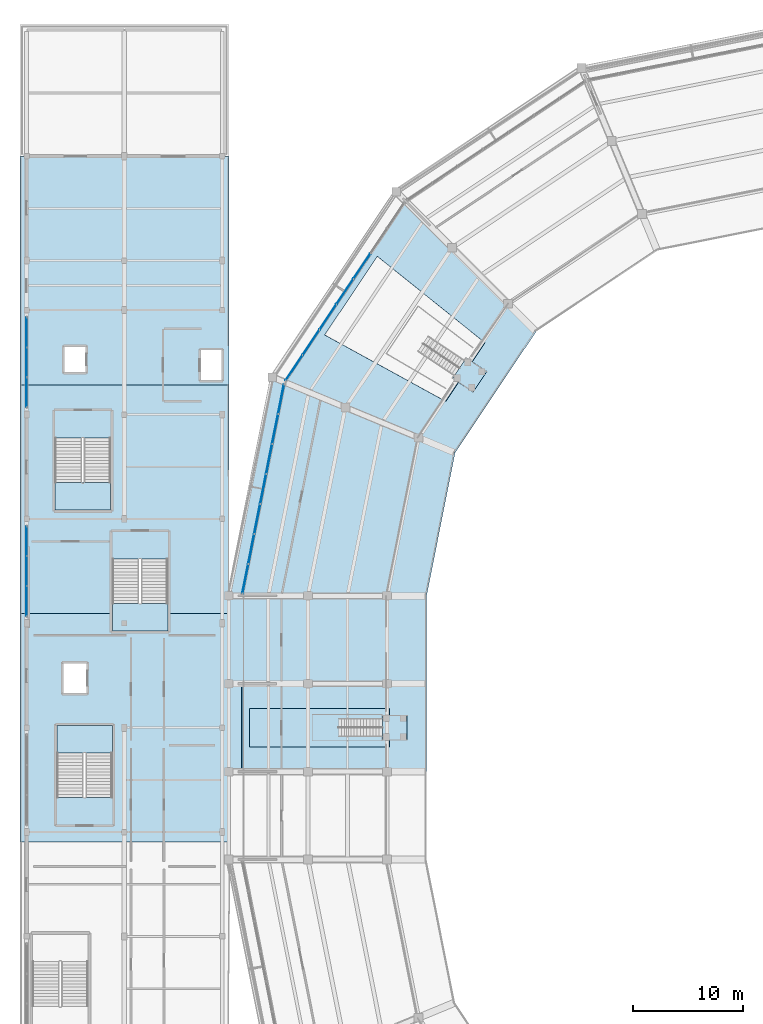
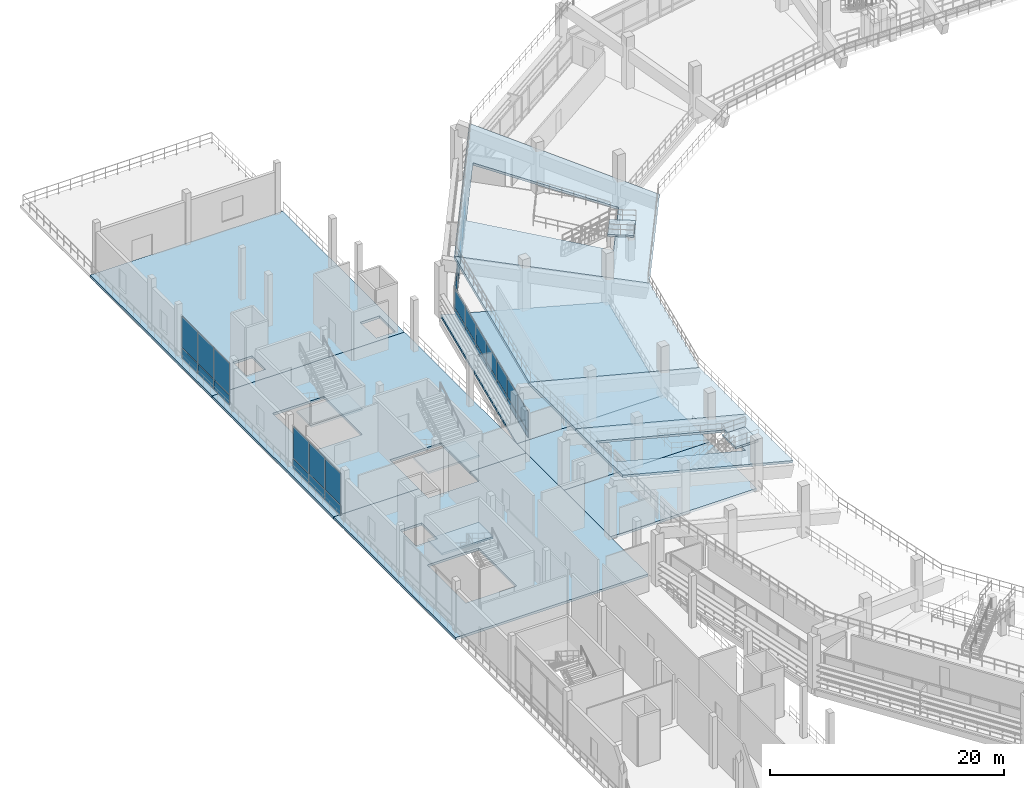
# One storey, part 51 of 96: 36 plates, 15 slabs, 9 elements without a shape of their own.
"""IFC4 building model written with IfcOpenShell, lengths in metres."""

from ifc_helpers import new_model, si_unit, direction, frame, origin, origin_2d, place, context, subcontext, project, spatial, polyline, rectangle, outline, extrude, material, layer, layer_set, type_object, element, aggregate, save


model = new_model("IFC4")

# Units and contexts
model_context = context("Model", 3, precision=1e-05, world=origin(), true_north=direction((0.0, 1.0)))
body_context = subcontext(model_context, "Body", "Model", "MODEL_VIEW")
ifc_project = project(units=[si_unit("LENGTHUNIT", "METRE"), si_unit("AREAUNIT", "SQUARE_METRE"), si_unit("VOLUMEUNIT", "CUBIC_METRE"), si_unit("PLANEANGLEUNIT", "RADIAN"), si_unit("MASSUNIT", "GRAM", prefix="KILO")], contexts=[model_context])

# Site, building, storey
site_placement = place(None, origin())
site = spatial("IfcSite", under=ifc_project, at=site_placement, CompositionType="ELEMENT")
building_placement = place(site_placement, origin())
building = spatial("IfcBuilding", under=site, at=building_placement, Name="Candeia Ridge Stadium", CompositionType="ELEMENT")
storey_placement = place(building_placement, frame((0.0, 0.0, 21.60009765625)))
storey = spatial("IfcBuildingStorey", under=building, at=storey_placement, Name="L04", CompositionType="ELEMENT", Elevation=21.60009765625)

# Slabs
ifc_material_1 = material(Name="Concrete C40/50", Category="concrete")
ifc_layer_1 = layer(ifc_material_1, 0.260009765625, Name="Concrete C40/50", Category="concrete")
ifc_layer_set_1 = layer_set([ifc_layer_1], Name="Concrete C40/50")
slab_type_1 = type_object("IfcSlabType", Name="Concourse Structural Slab 260", PredefinedType="FLOOR", material=ifc_layer_set_1)
slab_1_placement = place(storey_placement, frame((0.0, 0.0, -0.260009765625)))
element("IfcSlab", 1, at=slab_1_placement, inside=storey, type_object=slab_type_1, Name="Bowl concourse sector slab L04 bay 11 SLB-L04-0155", PredefinedType="FLOOR", context=body_context, shape_type="SweptSolid", body=[
    extrude(outline(polyline([(33.39990234375, 95.0), (19.0, 95.0), (22.958251953125, 114.8994140625), (36.26220703125, 109.388916015625), (33.39990234375, 95.0)])), origin(), (0.0, 0.0, 1.0), 0.260009765625),
])
slab_2_placement = place(storey_placement, frame((0.0, 0.0, -0.260009765625)))
element("IfcSlab", 2, at=slab_2_placement, inside=storey, type_object=slab_type_1, Name="Bowl concourse sector slab L04 bay 12 SLB-L04-0156", PredefinedType="FLOOR", context=body_context, shape_type="SweptSolid", body=[
    extrude(outline(polyline([(33.39990234375, 87.0), (19.0, 87.0), (19.0, 95.0), (33.39990234375, 95.0), (33.39990234375, 87.0)])), origin(), (0.0, 0.0, 1.0), 0.260009765625),
])
slab_3_placement = place(storey_placement, frame((0.0, 0.0, -0.260009765625)))
element("IfcSlab", 3, at=slab_3_placement, inside=storey, type_object=slab_type_1, Name="Bowl concourse sector slab L04 bay 13 SLB-L04-0157", PredefinedType="FLOOR", context=body_context, shape_type="SweptSolid", body=[
    extrude(outline(polyline([(33.39990234375, 79.0), (19.0, 79.0), (19.0, 87.0), (33.39990234375, 87.0), (33.39990234375, 79.0)])), origin(), (0.0, 0.0, 1.0), 0.260009765625),
])

# Stair, slab
stair_type_1 = type_object("IfcStairType", Name="Enclosed Core Half-Turn Stair 2450", PredefinedType="HALF_TURN_STAIR", material=ifc_material_1)
stair_1_placement = place(storey_placement, origin())
stair_1 = element("IfcStair", 4, at=stair_1_placement, inside=storey, type_object=stair_type_1, Name="L04 Enclosed exit stair ST06", PredefinedType="HALF_TURN_STAIR")
ifc_layer_2 = layer(ifc_material_1, 0.199951171875, Name="Concrete C40/50", Category="concrete")
ifc_layer_set_2 = layer_set([ifc_layer_2], Name="Concrete C40/50")
slab_type_2 = type_object("IfcSlabType", Name="Core Stair Landing Slab 200", PredefinedType="LANDING", material=ifc_layer_set_2)
slab_4_placement = place(storey_placement, frame((0.0, 0.0, 2.5)))
slab_4 = element("IfcSlab", 5, at=slab_4_placement, type_object=slab_type_2, Name="ST06 landing 1", PredefinedType="LANDING", context=body_context, shape_type="SweptSolid", body=[
    extrude(outline(polyline([(3.199951171875, 105.2900390625), (3.199951171875, 102.800048828125), (8.25, 102.800048828125), (8.25, 105.2900390625), (3.199951171875, 105.2900390625)])), origin(), (0.0, 0.0, 1.0), 0.199951171875),
])
aggregate(stair_1, [slab_4])

stair_2_placement = place(storey_placement, origin())
stair_2 = element("IfcStair", 6, at=stair_2_placement, inside=storey, type_object=stair_type_1, Name="L04 Enclosed exit stair ST07", PredefinedType="HALF_TURN_STAIR")
slab_5_placement = place(storey_placement, frame((0.0, 0.0, 2.5)))
slab_5 = element("IfcSlab", 7, at=slab_5_placement, type_object=slab_type_2, Name="ST07 landing 1", PredefinedType="LANDING", context=body_context, shape_type="SweptSolid", body=[
    extrude(outline(polyline([(8.39990234375, 80.7099609375), (8.39990234375, 83.199951171875), (3.35009765625, 83.199951171875), (3.35009765625, 80.7099609375), (8.39990234375, 80.7099609375)])), origin(), (0.0, 0.0, 1.0), 0.199951171875),
])
aggregate(stair_2, [slab_5])

stair_3_placement = place(storey_placement, origin())
stair_3 = element("IfcStair", 8, at=stair_3_placement, inside=storey, type_object=stair_type_1, Name="L04 Enclosed exit stair ST08", PredefinedType="HALF_TURN_STAIR")
slab_6_placement = place(storey_placement, frame((0.0, 0.0, 2.5)))
slab_6 = element("IfcSlab", 9, at=slab_6_placement, type_object=slab_type_2, Name="ST08 landing 1", PredefinedType="LANDING", context=body_context, shape_type="SweptSolid", body=[
    extrude(outline(polyline([(8.39990234375, 94.2900390625), (8.39990234375, 91.800048828125), (13.449951171875, 91.800048828125), (13.449951171875, 94.2900390625), (8.39990234375, 94.2900390625)])), origin(), (0.0, 0.0, 1.0), 0.199951171875),
])
aggregate(stair_3, [slab_6])

ifc_material_2 = material(Name="Precast concrete C45/55", Category="concrete")
stair_type_2 = type_object("IfcStairType", Name="Spectator Vomitory Straight Stair 2200", PredefinedType="STRAIGHT_RUN_STAIR", material=ifc_material_2)
stair_4_placement = place(storey_placement, origin())
stair_4 = element("IfcStair", 10, at=stair_4_placement, inside=storey, type_object=stair_type_2, Name="Vomitory stair VS28", PredefinedType="STRAIGHT_RUN_STAIR")
slab_7_placement = place(storey_placement, frame((0.0, 0.0, 2.493896484375)))
slab_7 = element("IfcSlab", 11, at=slab_7_placement, type_object=slab_type_2, Name="VS28 landing 1", PredefinedType="LANDING", context=body_context, shape_type="SweptSolid", body=[
    extrude(outline(polyline([(40.60693359375, 116.655029296875), (42.478271484375, 115.404541015625), (41.233642578125, 113.542236328125), (39.362548828125, 114.79248046875), (40.60693359375, 116.655029296875)])), origin(), (0.0, 0.0, 1.0), 0.199951171875),
])
aggregate(stair_4, [slab_7])

stair_5_placement = place(storey_placement, origin())
stair_5 = element("IfcStair", 12, at=stair_5_placement, inside=storey, type_object=stair_type_2, Name="Vomitory stair VS29", PredefinedType="STRAIGHT_RUN_STAIR")
slab_8_placement = place(storey_placement, frame((0.0, 0.0, 2.493896484375)))
slab_8 = element("IfcSlab", 13, at=slab_8_placement, type_object=slab_type_2, Name="VS29 landing 1", PredefinedType="LANDING", context=body_context, shape_type="SweptSolid", body=[
    extrude(outline(polyline([(32.967529296875, 84.1201171875), (35.218017578125, 84.1201171875), (35.218017578125, 81.8798828125), (32.967529296875, 81.8798828125), (32.967529296875, 84.1201171875)])), origin(), (0.0, 0.0, 1.0), 0.199951171875),
])
aggregate(stair_5, [slab_8])

# Slabs
ifc_layer_3 = layer(ifc_material_1, 0.25, Name="Concrete C40/50", Category="concrete")
ifc_layer_set_3 = layer_set([ifc_layer_3], Name="Concrete C40/50")
slab_type_3 = type_object("IfcSlabType", Name="Hospitality & Museum Slab 250", PredefinedType="FLOOR", material=ifc_layer_set_3)
slab_9_placement = place(storey_placement, frame((0.0, 0.0, -0.25)))
element("IfcSlab", 14, at=slab_9_placement, inside=storey, type_object=slab_type_3, Name="Wing floor slab west SLB-L04-0300", PredefinedType="FLOOR", context=body_context, shape_type="SweptSolid", body=[
    extrude(outline(polyline([(19.0, 93.39990234375), (19.0, 72.60009765625), (0.0, 72.60009765625), (0.0, 93.39990234375), (8.39990234375, 93.39990234375), (8.39990234375, 91.800048828125), (13.449951171875, 91.800048828125), (13.449951171875, 93.39990234375), (19.0, 93.39990234375)]), holes=[polyline([(8.39990234375, 83.199951171875), (3.35009765625, 83.199951171875), (3.35009765625, 76.650634765625), (8.39990234375, 76.650634765625), (8.39990234375, 83.199951171875)]), polyline([(6.050048828125, 86.14990234375), (6.050048828125, 88.85009765625), (3.949951171875, 88.85009765625), (3.949951171875, 86.14990234375), (6.050048828125, 86.14990234375)])]), origin(), (0.0, 0.0, 1.0), 0.25),
])
slab_10_placement = place(storey_placement, frame((0.0, 0.0, -0.25)))
element("IfcSlab", 15, at=slab_10_placement, inside=storey, type_object=slab_type_3, Name="Wing floor slab west SLB-L04-0301", PredefinedType="FLOOR", context=body_context, shape_type="SweptSolid", body=[
    extrude(outline(polyline([(0.0, 93.39990234375), (0.0, 114.199951171875), (19.0, 114.199951171875), (19.0, 93.39990234375), (13.449951171875, 93.39990234375), (13.449951171875, 98.349365234375), (8.39990234375, 98.349365234375), (8.39990234375, 93.39990234375), (0.0, 93.39990234375)]), holes=[polyline([(3.199951171875, 109.349365234375), (3.199951171875, 102.800048828125), (8.25, 102.800048828125), (8.25, 109.349365234375), (3.199951171875, 109.349365234375)])]), origin(), (0.0, 0.0, 1.0), 0.25),
])
slab_11_placement = place(storey_placement, frame((0.0, 0.0, -0.25)))
element("IfcSlab", 16, at=slab_11_placement, inside=storey, type_object=slab_type_3, Name="Wing floor slab west SLB-L04-0302", PredefinedType="FLOOR", context=body_context, shape_type="SweptSolid", body=[
    extrude(outline(polyline([(0.0, 114.199951171875), (0.0, 135.0), (19.0, 135.0), (19.0, 114.199951171875), (0.0, 114.199951171875)]), holes=[polyline([(18.35009765625, 114.64990234375), (18.35009765625, 117.35009765625), (16.449951171875, 117.35009765625), (16.449951171875, 114.64990234375), (18.35009765625, 114.64990234375)]), polyline([(5.949951171875, 115.35009765625), (5.949951171875, 117.64990234375), (4.050048828125, 117.64990234375), (4.050048828125, 115.35009765625), (5.949951171875, 115.35009765625)])]), origin(), (0.0, 0.0, 1.0), 0.25),
])

# Curtain wall, plates
ifc_material_3 = material(Name="Aluminium Anodized Warm Bronze", Category="aluminium")
curtain_wall_type_1 = type_object("IfcCurtainWallType", Name="Concourse Recessed Unitised Curtain Wall", PredefinedType="NOTDEFINED", material=ifc_material_3)
curtain_wall_1_placement = place(storey_placement, origin())
curtain_wall_1 = element("IfcCurtainWall", 17, at=curtain_wall_1_placement, inside=storey, type_object=curtain_wall_type_1, Name="Unitised curtain wall CW-BWL-L04-09", PredefinedType="NOTDEFINED")
ifc_material_4 = material(Name="Aluminium Insulated Spandrel", Category="aluminium")
ifc_layer_4 = layer(ifc_material_4, 0.06494140625, Name="Aluminium Insulated Spandrel", Category="aluminium")
ifc_layer_set_4 = layer_set([ifc_layer_4], Name="Aluminium Insulated Spandrel")
plate_type_1 = type_object("IfcPlateType", Name="Insulated Bronze Spandrel Panel SP2", PredefinedType="CURTAIN_PANEL", material=ifc_layer_set_4)
plate_1_placement = place(storey_placement, frame((31.117431640625, 124.9921875, 0.0400390625), z_axis=(0.0, 0.0, 1.0), x_axis=(-0.555571447533, -0.831468800789, 0.0)))
plate_1 = element("IfcPlate", 18, at=plate_1_placement, type_object=plate_type_1, Name="Curtain wall spandrel panel CW-BWL-L04-09-SP2", PredefinedType="CURTAIN_PANEL", context=body_context, shape_type="SweptSolid", body=[
    extrude(rectangle(XDim=2.710205078125, YDim=0.06494140625, at=origin_2d()), origin(), (0.0, 0.0, 1.0), 0.613037109375),
])
plate_2_placement = place(storey_placement, frame((29.572998046875, 122.6806640625, 0.0400390625), z_axis=(0.0, 0.0, 1.0), x_axis=(-0.555571447533, -0.831468800789, 0.0)))
plate_2 = element("IfcPlate", 19, at=plate_2_placement, type_object=plate_type_1, Name="Curtain wall spandrel panel CW-BWL-L04-09-SP3", PredefinedType="CURTAIN_PANEL", context=body_context, shape_type="SweptSolid", body=[
    extrude(rectangle(XDim=2.710205078125, YDim=0.06494140625, at=origin_2d()), origin(), (0.0, 0.0, 1.0), 0.613037109375),
])
plate_3_placement = place(storey_placement, frame((28.0283203125, 120.369140625, 0.0400390625), z_axis=(0.0, 0.0, 1.0), x_axis=(-0.555571447533, -0.831468800789, 0.0)))
plate_3 = element("IfcPlate", 20, at=plate_3_placement, type_object=plate_type_1, Name="Curtain wall spandrel panel CW-BWL-L04-09-SP4", PredefinedType="CURTAIN_PANEL", context=body_context, shape_type="SweptSolid", body=[
    extrude(rectangle(XDim=2.710205078125, YDim=0.06494140625, at=origin_2d()), origin(), (0.0, 0.0, 1.0), 0.613037109375),
])
plate_4_placement = place(storey_placement, frame((26.48388671875, 118.057373046875, 0.0400390625), z_axis=(0.0, 0.0, 1.0), x_axis=(-0.555571447533, -0.831468800789, 0.0)))
plate_4 = element("IfcPlate", 21, at=plate_4_placement, type_object=plate_type_1, Name="Curtain wall spandrel panel CW-BWL-L04-09-SP5", PredefinedType="CURTAIN_PANEL", context=body_context, shape_type="SweptSolid", body=[
    extrude(rectangle(XDim=2.710205078125, YDim=0.06494140625, at=origin_2d()), origin(), (0.0, 0.0, 1.0), 0.613037109375),
])
plate_5_placement = place(storey_placement, frame((24.939208984375, 115.745849609375, 0.0400390625), z_axis=(0.0, 0.0, 1.0), x_axis=(-0.555571447533, -0.831468800789, 0.0)))
plate_5 = element("IfcPlate", 22, at=plate_5_placement, type_object=plate_type_1, Name="Curtain wall spandrel panel CW-BWL-L04-09-SP6", PredefinedType="CURTAIN_PANEL", context=body_context, shape_type="SweptSolid", body=[
    extrude(rectangle(XDim=2.710205078125, YDim=0.06494140625, at=origin_2d()), origin(), (0.0, 0.0, 1.0), 0.613037109375),
])

curtain_wall_2_placement = place(storey_placement, origin())
curtain_wall_2 = element("IfcCurtainWall", 23, at=curtain_wall_2_placement, inside=storey, type_object=curtain_wall_type_1, Name="Unitised curtain wall CW-BWL-L04-10", PredefinedType="NOTDEFINED")
ifc_layer_5 = layer(ifc_material_4, 0.06494140625, Name="Aluminium Insulated Spandrel", Category="aluminium")
ifc_layer_set_5 = layer_set([ifc_layer_5], Name="Aluminium Insulated Spandrel")
plate_type_2 = type_object("IfcPlateType", Name="Insulated Bronze Spandrel Panel SP4", PredefinedType="CURTAIN_PANEL", material=ifc_layer_set_5)
plate_6_placement = place(storey_placement, frame((23.760498046875, 112.900390625, 0.0400390625), z_axis=(0.0, 0.0, 1.0), x_axis=(-0.195090320544, -0.980785280696, 0.0)))
plate_6 = element("IfcPlate", 24, at=plate_6_placement, type_object=plate_type_2, Name="Curtain wall spandrel panel CW-BWL-L04-10-SP0", PredefinedType="CURTAIN_PANEL", context=body_context, shape_type="SweptSolid", body=[
    extrude(rectangle(XDim=2.710205078125, YDim=0.06494140625, at=origin_2d()), origin(), (0.0, 0.0, 1.0), 0.613037109375),
])
plate_7_placement = place(storey_placement, frame((23.21826171875, 110.173583984375, 0.0400390625), z_axis=(0.0, 0.0, 1.0), x_axis=(-0.195090320544, -0.980785280696, 0.0)))
plate_7 = element("IfcPlate", 25, at=plate_7_placement, type_object=plate_type_2, Name="Curtain wall spandrel panel CW-BWL-L04-10-SP1", PredefinedType="CURTAIN_PANEL", context=body_context, shape_type="SweptSolid", body=[
    extrude(rectangle(XDim=2.710205078125, YDim=0.06494140625, at=origin_2d()), origin(), (0.0, 0.0, 1.0), 0.613037109375),
])
plate_8_placement = place(storey_placement, frame((22.67578125, 107.447021484375, 0.0400390625), z_axis=(0.0, 0.0, 1.0), x_axis=(-0.195090320544, -0.980785280696, 0.0)))
plate_8 = element("IfcPlate", 26, at=plate_8_placement, type_object=plate_type_2, Name="Curtain wall spandrel panel CW-BWL-L04-10-SP2", PredefinedType="CURTAIN_PANEL", context=body_context, shape_type="SweptSolid", body=[
    extrude(rectangle(XDim=2.710205078125, YDim=0.06494140625, at=origin_2d()), origin(), (0.0, 0.0, 1.0), 0.613037109375),
])
plate_9_placement = place(storey_placement, frame((22.13330078125, 104.72021484375, 0.0400390625), z_axis=(0.0, 0.0, 1.0), x_axis=(-0.195090320544, -0.980785280696, 0.0)))
plate_9 = element("IfcPlate", 27, at=plate_9_placement, type_object=plate_type_2, Name="Curtain wall spandrel panel CW-BWL-L04-10-SP3", PredefinedType="CURTAIN_PANEL", context=body_context, shape_type="SweptSolid", body=[
    extrude(rectangle(XDim=2.710205078125, YDim=0.06494140625, at=origin_2d()), origin(), (0.0, 0.0, 1.0), 0.613037109375),
])
plate_10_placement = place(storey_placement, frame((21.591064453125, 101.993408203125, 0.0400390625), z_axis=(0.0, 0.0, 1.0), x_axis=(-0.195090320544, -0.980785280696, 0.0)))
plate_10 = element("IfcPlate", 28, at=plate_10_placement, type_object=plate_type_2, Name="Curtain wall spandrel panel CW-BWL-L04-10-SP4", PredefinedType="CURTAIN_PANEL", context=body_context, shape_type="SweptSolid", body=[
    extrude(rectangle(XDim=2.710205078125, YDim=0.06494140625, at=origin_2d()), origin(), (0.0, 0.0, 1.0), 0.613037109375),
])
plate_11_placement = place(storey_placement, frame((21.048583984375, 99.2666015625, 0.0400390625), z_axis=(0.0, 0.0, 1.0), x_axis=(-0.195090320544, -0.980785280696, 0.0)))
plate_11 = element("IfcPlate", 29, at=plate_11_placement, type_object=plate_type_2, Name="Curtain wall spandrel panel CW-BWL-L04-10-SP5", PredefinedType="CURTAIN_PANEL", context=body_context, shape_type="SweptSolid", body=[
    extrude(rectangle(XDim=2.710205078125, YDim=0.06494140625, at=origin_2d()), origin(), (0.0, 0.0, 1.0), 0.613037109375),
])
plate_12_placement = place(storey_placement, frame((20.50634765625, 96.539794921875, 0.0400390625), z_axis=(0.0, 0.0, 1.0), x_axis=(-0.195090320544, -0.980785280696, 0.0)))
plate_12 = element("IfcPlate", 30, at=plate_12_placement, type_object=plate_type_2, Name="Curtain wall spandrel panel CW-BWL-L04-10-SP6", PredefinedType="CURTAIN_PANEL", context=body_context, shape_type="SweptSolid", body=[
    extrude(rectangle(XDim=2.710205078125, YDim=0.06494140625, at=origin_2d()), origin(), (0.0, 0.0, 1.0), 0.613037109375),
])

curtain_wall_type_2 = type_object("IfcCurtainWallType", Name="West Pavilion Hospitality Curtain Wall", PredefinedType="NOTDEFINED", material=ifc_material_3)
curtain_wall_3_placement = place(storey_placement, origin())
curtain_wall_3 = element("IfcCurtainWall", 31, at=curtain_wall_3_placement, inside=storey, type_object=curtain_wall_type_2, Name="Unitised curtain wall CW-WNG-L04-096", PredefinedType="NOTDEFINED")
ifc_layer_6 = layer(ifc_material_4, 0.06494140625, Name="Aluminium Insulated Spandrel", Category="aluminium")
ifc_layer_set_6 = layer_set([ifc_layer_6], Name="Aluminium Insulated Spandrel")
plate_type_3 = type_object("IfcPlateType", Name="Insulated Cedar-Tone Spandrel Panel SP3", PredefinedType="CURTAIN_PANEL", material=ifc_layer_set_6)
plate_13_placement = place(storey_placement, frame((0.60009765625, 94.523193359375, 0.039794921875), z_axis=(0.0, 0.0, 1.0), x_axis=(0.0, 1.0, 0.0)))
plate_13 = element("IfcPlate", 32, at=plate_13_placement, type_object=plate_type_3, Name="Curtain wall spandrel panel CW-WNG-L04-096-SP0", PredefinedType="CURTAIN_PANEL", context=body_context, shape_type="SweptSolid", body=[
    extrude(rectangle(XDim=2.65673828125, YDim=0.06494140625, at=origin_2d()), origin(), (0.0, 0.0, 1.0), 1.02001953125),
])
plate_14_placement = place(storey_placement, frame((0.60009765625, 97.25, 0.039794921875), z_axis=(0.0, 0.0, 1.0), x_axis=(0.0, 1.0, 0.0)))
plate_14 = element("IfcPlate", 33, at=plate_14_placement, type_object=plate_type_3, Name="Curtain wall spandrel panel CW-WNG-L04-096-SP1", PredefinedType="CURTAIN_PANEL", context=body_context, shape_type="SweptSolid", body=[
    extrude(rectangle(XDim=2.65673828125, YDim=0.06494140625, at=origin_2d()), origin(), (0.0, 0.0, 1.0), 1.02001953125),
])
plate_15_placement = place(storey_placement, frame((0.60009765625, 99.976806640625, 0.039794921875), z_axis=(0.0, 0.0, 1.0), x_axis=(0.0, 1.0, 0.0)))
plate_15 = element("IfcPlate", 34, at=plate_15_placement, type_object=plate_type_3, Name="Curtain wall spandrel panel CW-WNG-L04-096-SP2", PredefinedType="CURTAIN_PANEL", context=body_context, shape_type="SweptSolid", body=[
    extrude(rectangle(XDim=2.65673828125, YDim=0.06494140625, at=origin_2d()), origin(), (0.0, 0.0, 1.0), 1.02001953125),
])

curtain_wall_4_placement = place(storey_placement, origin())
curtain_wall_4 = element("IfcCurtainWall", 35, at=curtain_wall_4_placement, inside=storey, type_object=curtain_wall_type_2, Name="Unitised curtain wall CW-WNG-L04-097", PredefinedType="NOTDEFINED")
plate_16_placement = place(storey_placement, frame((0.60009765625, 113.523193359375, 0.039794921875), z_axis=(0.0, 0.0, 1.0), x_axis=(0.0, 1.0, 0.0)))
plate_16 = element("IfcPlate", 36, at=plate_16_placement, type_object=plate_type_3, Name="Curtain wall spandrel panel CW-WNG-L04-097-SP0", PredefinedType="CURTAIN_PANEL", context=body_context, shape_type="SweptSolid", body=[
    extrude(rectangle(XDim=2.65673828125, YDim=0.06494140625, at=origin_2d()), origin(), (0.0, 0.0, 1.0), 1.02001953125),
])
plate_17_placement = place(storey_placement, frame((0.60009765625, 116.25, 0.039794921875), z_axis=(0.0, 0.0, 1.0), x_axis=(0.0, 1.0, 0.0)))
plate_17 = element("IfcPlate", 37, at=plate_17_placement, type_object=plate_type_3, Name="Curtain wall spandrel panel CW-WNG-L04-097-SP1", PredefinedType="CURTAIN_PANEL", context=body_context, shape_type="SweptSolid", body=[
    extrude(rectangle(XDim=2.65673828125, YDim=0.06494140625, at=origin_2d()), origin(), (0.0, 0.0, 1.0), 1.02001953125),
])
plate_18_placement = place(storey_placement, frame((0.60009765625, 118.976806640625, 0.039794921875), z_axis=(0.0, 0.0, 1.0), x_axis=(0.0, 1.0, 0.0)))
plate_18 = element("IfcPlate", 38, at=plate_18_placement, type_object=plate_type_3, Name="Curtain wall spandrel panel CW-WNG-L04-097-SP2", PredefinedType="CURTAIN_PANEL", context=body_context, shape_type="SweptSolid", body=[
    extrude(rectangle(XDim=2.65673828125, YDim=0.06494140625, at=origin_2d()), origin(), (0.0, 0.0, 1.0), 1.02001953125),
])

# Plate
ifc_material_5 = material(Name="Tempered Low-E Double Glazing", Category="glass")
ifc_layer_7 = layer(ifc_material_5, 0.035888671875, Name="Tempered Low-E Double Glazing", Category="glass")
ifc_layer_set_7 = layer_set([ifc_layer_7], Name="Tempered Low-E Double Glazing")
plate_type_4 = type_object("IfcPlateType", Name="Pavilion Panorama Glass Panel GP4", PredefinedType="CURTAIN_PANEL", material=ifc_layer_set_7)
plate_19_placement = place(storey_placement, frame((0.60009765625, 94.523193359375, 1.14013671875), z_axis=(0.0, 0.0, 1.0), x_axis=(0.0, 1.0, 0.0)))
plate_19 = element("IfcPlate", 39, at=plate_19_placement, type_object=plate_type_4, Name="Curtain wall vision glass panel CW-WNG-L04-096-GP0", PredefinedType="CURTAIN_PANEL", context=body_context, shape_type="SweptSolid", body=[
    extrude(rectangle(XDim=2.65673828125, YDim=0.035888671875, at=origin_2d()), origin(), (0.0, 0.0, 1.0), 3.304931640625),
])

plate_20_placement = place(storey_placement, frame((0.60009765625, 97.25, 1.14013671875), z_axis=(0.0, 0.0, 1.0), x_axis=(0.0, 1.0, 0.0)))
plate_20 = element("IfcPlate", 40, at=plate_20_placement, type_object=plate_type_4, Name="Curtain wall vision glass panel CW-WNG-L04-096-GP1", PredefinedType="CURTAIN_PANEL", context=body_context, shape_type="SweptSolid", body=[
    extrude(rectangle(XDim=2.65673828125, YDim=0.035888671875, at=origin_2d()), origin(), (0.0, 0.0, 1.0), 3.304931640625),
])

plate_21_placement = place(storey_placement, frame((0.60009765625, 99.976806640625, 1.14013671875), z_axis=(0.0, 0.0, 1.0), x_axis=(0.0, 1.0, 0.0)))
plate_21 = element("IfcPlate", 41, at=plate_21_placement, type_object=plate_type_4, Name="Curtain wall vision glass panel CW-WNG-L04-096-GP2", PredefinedType="CURTAIN_PANEL", context=body_context, shape_type="SweptSolid", body=[
    extrude(rectangle(XDim=2.65673828125, YDim=0.035888671875, at=origin_2d()), origin(), (0.0, 0.0, 1.0), 3.304931640625),
])

aggregate(curtain_wall_3, [plate_13, plate_19, plate_14, plate_20, plate_15, plate_21])

plate_22_placement = place(storey_placement, frame((0.60009765625, 113.523193359375, 1.14013671875), z_axis=(0.0, 0.0, 1.0), x_axis=(0.0, 1.0, 0.0)))
plate_22 = element("IfcPlate", 42, at=plate_22_placement, type_object=plate_type_4, Name="Curtain wall vision glass panel CW-WNG-L04-097-GP0", PredefinedType="CURTAIN_PANEL", context=body_context, shape_type="SweptSolid", body=[
    extrude(rectangle(XDim=2.65673828125, YDim=0.035888671875, at=origin_2d()), origin(), (0.0, 0.0, 1.0), 3.284912109375),
])

plate_23_placement = place(storey_placement, frame((0.60009765625, 116.25, 1.14013671875), z_axis=(0.0, 0.0, 1.0), x_axis=(0.0, 1.0, 0.0)))
plate_23 = element("IfcPlate", 43, at=plate_23_placement, type_object=plate_type_4, Name="Curtain wall vision glass panel CW-WNG-L04-097-GP1", PredefinedType="CURTAIN_PANEL", context=body_context, shape_type="SweptSolid", body=[
    extrude(rectangle(XDim=2.65673828125, YDim=0.035888671875, at=origin_2d()), origin(), (0.0, 0.0, 1.0), 3.284912109375),
])

plate_24_placement = place(storey_placement, frame((0.60009765625, 118.976806640625, 1.14013671875), z_axis=(0.0, 0.0, 1.0), x_axis=(0.0, 1.0, 0.0)))
plate_24 = element("IfcPlate", 44, at=plate_24_placement, type_object=plate_type_4, Name="Curtain wall vision glass panel CW-WNG-L04-097-GP2", PredefinedType="CURTAIN_PANEL", context=body_context, shape_type="SweptSolid", body=[
    extrude(rectangle(XDim=2.65673828125, YDim=0.035888671875, at=origin_2d()), origin(), (0.0, 0.0, 1.0), 3.284912109375),
])

aggregate(curtain_wall_4, [plate_16, plate_22, plate_17, plate_23, plate_18, plate_24])

ifc_layer_8 = layer(ifc_material_5, 0.035888671875, Name="Tempered Low-E Double Glazing", Category="glass")
ifc_layer_set_8 = layer_set([ifc_layer_8], Name="Tempered Low-E Double Glazing")
plate_type_5 = type_object("IfcPlateType", Name="Solar Control Vision Glass Panel GP2", PredefinedType="CURTAIN_PANEL", material=ifc_layer_set_8)
plate_25_placement = place(storey_placement, frame((31.117431640625, 124.9921875, 0.733154296875), z_axis=(0.0, 0.0, 1.0), x_axis=(-0.555571447533, -0.831468800789, 0.0)))
plate_25 = element("IfcPlate", 45, at=plate_25_placement, type_object=plate_type_5, Name="Curtain wall vision glass panel CW-BWL-L04-09-GP2", PredefinedType="CURTAIN_PANEL", context=body_context, shape_type="SweptSolid", body=[
    extrude(rectangle(XDim=2.710205078125, YDim=0.035888671875, at=origin_2d()), origin(), (0.0, 0.0, 1.0), 1.9990234375),
])

plate_26_placement = place(storey_placement, frame((29.572998046875, 122.6806640625, 0.733154296875), z_axis=(0.0, 0.0, 1.0), x_axis=(-0.555571447533, -0.831468800789, 0.0)))
plate_26 = element("IfcPlate", 46, at=plate_26_placement, type_object=plate_type_5, Name="Curtain wall vision glass panel CW-BWL-L04-09-GP3", PredefinedType="CURTAIN_PANEL", context=body_context, shape_type="SweptSolid", body=[
    extrude(rectangle(XDim=2.710205078125, YDim=0.035888671875, at=origin_2d()), origin(), (0.0, 0.0, 1.0), 1.9990234375),
])

plate_27_placement = place(storey_placement, frame((28.0283203125, 120.369140625, 0.733154296875), z_axis=(0.0, 0.0, 1.0), x_axis=(-0.555571447533, -0.831468800789, 0.0)))
plate_27 = element("IfcPlate", 47, at=plate_27_placement, type_object=plate_type_5, Name="Curtain wall vision glass panel CW-BWL-L04-09-GP4", PredefinedType="CURTAIN_PANEL", context=body_context, shape_type="SweptSolid", body=[
    extrude(rectangle(XDim=2.710205078125, YDim=0.035888671875, at=origin_2d()), origin(), (0.0, 0.0, 1.0), 1.9990234375),
])

plate_28_placement = place(storey_placement, frame((26.48388671875, 118.057373046875, 0.733154296875), z_axis=(0.0, 0.0, 1.0), x_axis=(-0.555571447533, -0.831468800789, 0.0)))
plate_28 = element("IfcPlate", 48, at=plate_28_placement, type_object=plate_type_5, Name="Curtain wall vision glass panel CW-BWL-L04-09-GP5", PredefinedType="CURTAIN_PANEL", context=body_context, shape_type="SweptSolid", body=[
    extrude(rectangle(XDim=2.710205078125, YDim=0.035888671875, at=origin_2d()), origin(), (0.0, 0.0, 1.0), 1.9990234375),
])

plate_29_placement = place(storey_placement, frame((24.939208984375, 115.745849609375, 0.733154296875), z_axis=(0.0, 0.0, 1.0), x_axis=(-0.555571447533, -0.831468800789, 0.0)))
plate_29 = element("IfcPlate", 49, at=plate_29_placement, type_object=plate_type_5, Name="Curtain wall vision glass panel CW-BWL-L04-09-GP6", PredefinedType="CURTAIN_PANEL", context=body_context, shape_type="SweptSolid", body=[
    extrude(rectangle(XDim=2.710205078125, YDim=0.035888671875, at=origin_2d()), origin(), (0.0, 0.0, 1.0), 1.9990234375),
])

aggregate(curtain_wall_1, [plate_1, plate_25, plate_2, plate_26, plate_3, plate_27, plate_4, plate_28, plate_5, plate_29])

ifc_layer_9 = layer(ifc_material_5, 0.035888671875, Name="Tempered Low-E Double Glazing", Category="glass")
ifc_layer_set_9 = layer_set([ifc_layer_9], Name="Tempered Low-E Double Glazing")
plate_type_6 = type_object("IfcPlateType", Name="Solar Control Vision Glass Panel GP5", PredefinedType="CURTAIN_PANEL", material=ifc_layer_set_9)
plate_30_placement = place(storey_placement, frame((23.760498046875, 112.900390625, 0.733154296875), z_axis=(0.0, 0.0, 1.0), x_axis=(-0.195090320544, -0.980785280696, 0.0)))
plate_30 = element("IfcPlate", 50, at=plate_30_placement, type_object=plate_type_6, Name="Curtain wall vision glass panel CW-BWL-L04-10-GP0", PredefinedType="CURTAIN_PANEL", context=body_context, shape_type="SweptSolid", body=[
    extrude(rectangle(XDim=2.710205078125, YDim=0.035888671875, at=origin_2d()), origin(), (0.0, 0.0, 1.0), 1.9990234375),
])

plate_31_placement = place(storey_placement, frame((23.21826171875, 110.173583984375, 0.733154296875), z_axis=(0.0, 0.0, 1.0), x_axis=(-0.195090320544, -0.980785280696, 0.0)))
plate_31 = element("IfcPlate", 51, at=plate_31_placement, type_object=plate_type_6, Name="Curtain wall vision glass panel CW-BWL-L04-10-GP1", PredefinedType="CURTAIN_PANEL", context=body_context, shape_type="SweptSolid", body=[
    extrude(rectangle(XDim=2.710205078125, YDim=0.035888671875, at=origin_2d()), origin(), (0.0, 0.0, 1.0), 1.9990234375),
])

plate_32_placement = place(storey_placement, frame((22.67578125, 107.447021484375, 0.733154296875), z_axis=(0.0, 0.0, 1.0), x_axis=(-0.195090320544, -0.980785280696, 0.0)))
plate_32 = element("IfcPlate", 52, at=plate_32_placement, type_object=plate_type_6, Name="Curtain wall vision glass panel CW-BWL-L04-10-GP2", PredefinedType="CURTAIN_PANEL", context=body_context, shape_type="SweptSolid", body=[
    extrude(rectangle(XDim=2.710205078125, YDim=0.035888671875, at=origin_2d()), origin(), (0.0, 0.0, 1.0), 1.9990234375),
])

plate_33_placement = place(storey_placement, frame((22.13330078125, 104.72021484375, 0.733154296875), z_axis=(0.0, 0.0, 1.0), x_axis=(-0.195090320544, -0.980785280696, 0.0)))
plate_33 = element("IfcPlate", 53, at=plate_33_placement, type_object=plate_type_6, Name="Curtain wall vision glass panel CW-BWL-L04-10-GP3", PredefinedType="CURTAIN_PANEL", context=body_context, shape_type="SweptSolid", body=[
    extrude(rectangle(XDim=2.710205078125, YDim=0.035888671875, at=origin_2d()), origin(), (0.0, 0.0, 1.0), 1.9990234375),
])

plate_34_placement = place(storey_placement, frame((21.591064453125, 101.993408203125, 0.733154296875), z_axis=(0.0, 0.0, 1.0), x_axis=(-0.195090320544, -0.980785280696, 0.0)))
plate_34 = element("IfcPlate", 54, at=plate_34_placement, type_object=plate_type_6, Name="Curtain wall vision glass panel CW-BWL-L04-10-GP4", PredefinedType="CURTAIN_PANEL", context=body_context, shape_type="SweptSolid", body=[
    extrude(rectangle(XDim=2.710205078125, YDim=0.035888671875, at=origin_2d()), origin(), (0.0, 0.0, 1.0), 1.9990234375),
])

plate_35_placement = place(storey_placement, frame((21.048583984375, 99.2666015625, 0.733154296875), z_axis=(0.0, 0.0, 1.0), x_axis=(-0.195090320544, -0.980785280696, 0.0)))
plate_35 = element("IfcPlate", 55, at=plate_35_placement, type_object=plate_type_6, Name="Curtain wall vision glass panel CW-BWL-L04-10-GP5", PredefinedType="CURTAIN_PANEL", context=body_context, shape_type="SweptSolid", body=[
    extrude(rectangle(XDim=2.710205078125, YDim=0.035888671875, at=origin_2d()), origin(), (0.0, 0.0, 1.0), 1.9990234375),
])

plate_36_placement = place(storey_placement, frame((20.50634765625, 96.539794921875, 0.733154296875), z_axis=(0.0, 0.0, 1.0), x_axis=(-0.195090320544, -0.980785280696, 0.0)))
plate_36 = element("IfcPlate", 56, at=plate_36_placement, type_object=plate_type_6, Name="Curtain wall vision glass panel CW-BWL-L04-10-GP6", PredefinedType="CURTAIN_PANEL", context=body_context, shape_type="SweptSolid", body=[
    extrude(rectangle(XDim=2.710205078125, YDim=0.035888671875, at=origin_2d()), origin(), (0.0, 0.0, 1.0), 1.9990234375),
])

aggregate(curtain_wall_2, [plate_6, plate_30, plate_7, plate_31, plate_8, plate_32, plate_9, plate_33, plate_10, plate_34, plate_11, plate_35, plate_12, plate_36])

# Slabs
ifc_layer_10 = layer(ifc_material_2, 0.239990234375, Name="Precast concrete C45/55", Category="concrete")
ifc_layer_set_10 = layer_set([ifc_layer_10], Name="Precast concrete C45/55")
slab_type_4 = type_object("IfcSlabType", Name="Upper Cantilever Tier Precast 240", PredefinedType="USERDEFINED", material=ifc_layer_set_10)
slab_12_placement = place(storey_placement, frame((46.9580078125, 119.0419921875, 1.64990234375), z_axis=(0.212249411471, -0.14181603517, 0.96687041505), x_axis=(-0.555541902497, -0.831488541438, -5.136556e-06)))
element("IfcSlab", 57, at=slab_12_placement, inside=storey, type_object=slab_type_4, Name="Stand Upper Tier Stands Bay 10", ObjectType="SEATING TIER", PredefinedType="USERDEFINED", context=body_context, shape_type="SweptSolid", body=[
    extrude(outline(polyline([(0.0, 0.0), (13.266563896581555, 8.881784197001252e-16), (16.543502769757378, -17.041649109583425), (-3.277966598499786, -17.04098330454092), (0.0, 0.0)]), holes=[polyline([(3.4259240265647586, -3.408030708775468), (9.840190723790146, -3.4087029950675576), (10.935500606534154, -16.360441110728413), (2.329584120169721, -16.35922607191185), (3.4259240265647586, -3.408030708775468)])]), origin(), (0.0, 0.0, -1.0), 0.239990234375),
])
slab_13_placement = place(storey_placement, frame((39.587890625, 108.010986328125, 1.64990234375), z_axis=(0.2503576128, -0.049798786666, 0.966871835643), x_axis=(-0.195079675491, -0.980787398066, -2.420734e-06)))
element("IfcSlab", 58, at=slab_13_placement, inside=storey, type_object=slab_type_4, Name="Stand Upper Tier Stands Bay 11", ObjectType="SEATING TIER", PredefinedType="USERDEFINED", context=body_context, shape_type="SweptSolid", body=[
    extrude(outline(polyline([(0.0, 0.0), (13.265856290361187, 4.440892098500626e-16), (16.54319383355014, -17.04183232147286), (-3.2776177725242213, -17.04151855011149), (0.0, 0.0)])), origin(), (0.0, 0.0, -1.0), 0.239990234375),
])
slab_14_placement = place(storey_placement, frame((37.0, 95.0, 1.64990234375), z_axis=(0.25066676964, 0.0, 0.968073432441), x_axis=(0.0, -1.0, 0.0)))
element("IfcSlab", 59, at=slab_14_placement, inside=storey, type_object=slab_type_4, Name="Stand Upper Tier Stands Bay 12", ObjectType="SEATING TIER", PredefinedType="USERDEFINED", context=body_context, shape_type="SweptSolid", body=[
    extrude(outline(polyline([(0.0, 0.0), (8.0, 0.0), (8.0, -17.354105861331373), (0.0, -17.354105861331373), (0.0, 0.0)])), origin(), (0.0, 0.0, -1.0), 0.239990234375),
])
slab_15_placement = place(storey_placement, frame((37.0, 87.0, 1.64990234375), z_axis=(0.25066676964, 0.0, 0.968073432441), x_axis=(0.0, -1.0, 0.0)))
element("IfcSlab", 60, at=slab_15_placement, inside=storey, type_object=slab_type_4, Name="Stand Upper Tier Stands Bay 13", ObjectType="SEATING TIER", PredefinedType="USERDEFINED", context=body_context, shape_type="SweptSolid", body=[
    extrude(outline(polyline([(0.0, 0.0), (8.0, 0.0), (8.0, -17.354105861331373), (0.0, -17.354105861331373), (0.0, 0.0)]), holes=[polyline([(2.239990234375, -3.4709401898641343), (5.760009765625, -3.4709401898641343), (5.760009765625, -16.65981104534905), (2.239990234375, -16.65981104534905), (2.239990234375, -3.4709401898641343)])]), origin(), (0.0, 0.0, -1.0), 0.239990234375),
])

save(model, "model.ifc")
